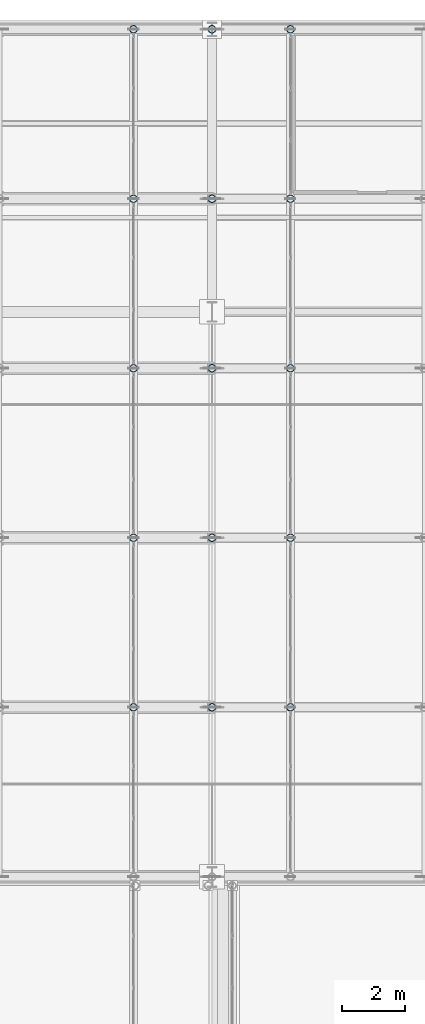
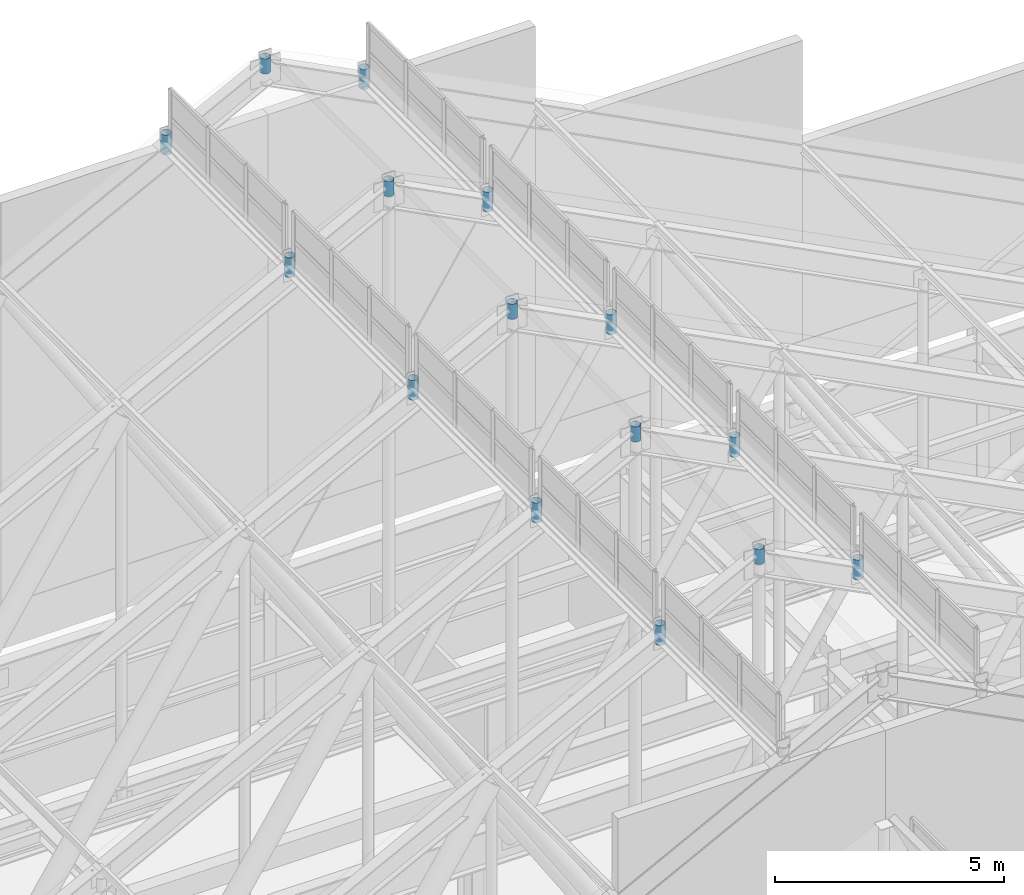
# One storey, part 67 of 84: 15 members.
"""IFC4 building model written with IfcOpenShell, lengths in metres."""

from ifc_helpers import new_model, si_unit, direction, frame, origin, origin_2d, place, context, subcontext, project, spatial, hollow_circle, extrude, material, material_profile, profile_set, type_object, element, save


model = new_model("IFC4")

# Units and contexts
model_context = context("Model", 3, precision=1e-05, world=origin(), true_north=direction((0.0, 1.0)))
body_context = subcontext(model_context, "Body", "Model", "MODEL_VIEW")
ifc_project = project(units=[si_unit("LENGTHUNIT", "METRE"), si_unit("AREAUNIT", "SQUARE_METRE"), si_unit("VOLUMEUNIT", "CUBIC_METRE"), si_unit("PLANEANGLEUNIT", "RADIAN"), si_unit("MASSUNIT", "GRAM", prefix="KILO")], contexts=[model_context])

# Site, building, storey
site_placement = place(None, origin())
site = spatial("IfcSite", under=ifc_project, at=site_placement, CompositionType="ELEMENT")
building_placement = place(site_placement, origin())
building = spatial("IfcBuilding", under=site, at=building_placement, Name="Sundgate Opera House", CompositionType="ELEMENT")
storey_placement = place(building_placement, frame((0.0, 0.0, 30.60009765625)))
storey = spatial("IfcBuildingStorey", under=building, at=storey_placement, Name="L06", CompositionType="ELEMENT", Elevation=30.60009765625)

# Members
ifc_material = material(Name="Steel S355J2", Category="steel")
ifc_material_profile = material_profile(ifc_material, hollow_circle(Radius=0.122314453125, WallThickness=0.012451171875, at=origin_2d()), Name="CHS 244.5x12.5")
ifc_profile_set = profile_set([ifc_material_profile], Name="Steel S355J2")
member_type = type_object("IfcMemberType", Name="MB-STRUT-CHS244", PredefinedType="STRUT", material=ifc_profile_set)
member_1_placement = place(storey_placement, frame((51.5, 65.39990234375, 15.911865234375), z_axis=(0.0, 0.0, 1.0), x_axis=(1.0, 0.0, 0.0)))
element("IfcMember", 1, at=member_1_placement, inside=storey, type_object=member_type, Name="L06 Lantern Ridge Post MS035", PredefinedType="STRUT", context=body_context, shape_type="SweptSolid", body=[
    extrude(hollow_circle(Radius=0.122314453125, WallThickness=0.012451171875, at=origin_2d()), origin(), (0.0, 0.0, 1.0), 0.528076171875),
])
member_2_placement = place(storey_placement, frame((54.0, 65.39990234375, 17.199951171875), z_axis=(0.0, 0.0, 1.0), x_axis=(1.0, 0.0, 0.0)))
element("IfcMember", 2, at=member_2_placement, inside=storey, type_object=member_type, Name="L06 Lantern Ridge Post MS036", PredefinedType="STRUT", context=body_context, shape_type="SweptSolid", body=[
    extrude(hollow_circle(Radius=0.122314453125, WallThickness=0.012451171875, at=origin_2d()), origin(), (0.0, 0.0, 1.0), 0.39990234375),
])
for number, where, z_axis, x_axis, name in (
    (3, (56.5, 65.39990234375, 15.911865234375), (0.0, 0.0, 1.0), (1.0, 0.0, 0.0), "L06 Lantern Ridge Post MS037"),
    (4, (51.5, 70.800048828125, 15.911865234375), (0.0, 0.0, 1.0), (1.0, 0.0, 0.0), "L06 Lantern Ridge Post MS038"),
):
    element("IfcMember", number, at=place(storey_placement, frame(where, z_axis=z_axis, x_axis=x_axis)), inside=storey, type_object=member_type, Name=name, PredefinedType="STRUT", context=body_context, shape_type="SweptSolid", body=[
        extrude(hollow_circle(Radius=0.122314453125, WallThickness=0.012451171875, at=origin_2d()), origin(), (0.0, 0.0, 1.0), 0.528076171875),
    ])
member_3_placement = place(storey_placement, frame((54.0, 70.800048828125, 17.199951171875), z_axis=(0.0, 0.0, 1.0), x_axis=(1.0, 0.0, 0.0)))
element("IfcMember", 5, at=member_3_placement, inside=storey, type_object=member_type, Name="L06 Lantern Ridge Post MS039", PredefinedType="STRUT", context=body_context, shape_type="SweptSolid", body=[
    extrude(hollow_circle(Radius=0.122314453125, WallThickness=0.012451171875, at=origin_2d()), origin(), (0.0, 0.0, 1.0), 0.39990234375),
])
for number, where, z_axis, x_axis, name in (
    (6, (56.5, 70.800048828125, 15.911865234375), (0.0, 0.0, 1.0), (1.0, 0.0, 0.0), "L06 Lantern Ridge Post MS040"),
    (7, (51.5, 76.199951171875, 15.911865234375), (0.0, 0.0, 1.0), (1.0, 0.0, 0.0), "L06 Lantern Ridge Post MS041"),
):
    element("IfcMember", number, at=place(storey_placement, frame(where, z_axis=z_axis, x_axis=x_axis)), inside=storey, type_object=member_type, Name=name, PredefinedType="STRUT", context=body_context, shape_type="SweptSolid", body=[
        extrude(hollow_circle(Radius=0.122314453125, WallThickness=0.012451171875, at=origin_2d()), origin(), (0.0, 0.0, 1.0), 0.528076171875),
    ])
member_4_placement = place(storey_placement, frame((54.0, 76.199951171875, 17.199951171875), z_axis=(0.0, 0.0, 1.0), x_axis=(1.0, 0.0, 0.0)))
element("IfcMember", 8, at=member_4_placement, inside=storey, type_object=member_type, Name="L06 Lantern Ridge Post MS042", PredefinedType="STRUT", context=body_context, shape_type="SweptSolid", body=[
    extrude(hollow_circle(Radius=0.122314453125, WallThickness=0.012451171875, at=origin_2d()), origin(), (0.0, 0.0, 1.0), 0.39990234375),
])
for number, where, z_axis, x_axis, name in (
    (9, (56.5, 76.199951171875, 15.911865234375), (0.0, 0.0, 1.0), (1.0, 0.0, 0.0), "L06 Lantern Ridge Post MS043"),
    (10, (51.5, 81.60009765625, 15.911865234375), (0.0, 0.0, 1.0), (1.0, 0.0, 0.0), "L06 Lantern Ridge Post MS044"),
):
    element("IfcMember", number, at=place(storey_placement, frame(where, z_axis=z_axis, x_axis=x_axis)), inside=storey, type_object=member_type, Name=name, PredefinedType="STRUT", context=body_context, shape_type="SweptSolid", body=[
        extrude(hollow_circle(Radius=0.122314453125, WallThickness=0.012451171875, at=origin_2d()), origin(), (0.0, 0.0, 1.0), 0.528076171875),
    ])
member_5_placement = place(storey_placement, frame((54.0, 81.60009765625, 17.199951171875), z_axis=(0.0, 0.0, 1.0), x_axis=(1.0, 0.0, 0.0)))
element("IfcMember", 11, at=member_5_placement, inside=storey, type_object=member_type, Name="L06 Lantern Ridge Post MS045", PredefinedType="STRUT", context=body_context, shape_type="SweptSolid", body=[
    extrude(hollow_circle(Radius=0.122314453125, WallThickness=0.012451171875, at=origin_2d()), origin(), (0.0, 0.0, 1.0), 0.39990234375),
])
for number, where, z_axis, x_axis, name in (
    (12, (56.5, 81.60009765625, 15.911865234375), (0.0, 0.0, 1.0), (1.0, 0.0, 0.0), "L06 Lantern Ridge Post MS046"),
    (13, (51.5, 87.0, 15.911865234375), (0.0, 0.0, 1.0), (1.0, 0.0, 0.0), "L06 Lantern Ridge Post MS047"),
):
    element("IfcMember", number, at=place(storey_placement, frame(where, z_axis=z_axis, x_axis=x_axis)), inside=storey, type_object=member_type, Name=name, PredefinedType="STRUT", context=body_context, shape_type="SweptSolid", body=[
        extrude(hollow_circle(Radius=0.122314453125, WallThickness=0.012451171875, at=origin_2d()), origin(), (0.0, 0.0, 1.0), 0.528076171875),
    ])
member_6_placement = place(storey_placement, frame((54.0, 87.0, 17.199951171875), z_axis=(0.0, 0.0, 1.0), x_axis=(1.0, 0.0, 0.0)))
element("IfcMember", 14, at=member_6_placement, inside=storey, type_object=member_type, Name="L06 Lantern Ridge Post MS048", PredefinedType="STRUT", context=body_context, shape_type="SweptSolid", body=[
    extrude(hollow_circle(Radius=0.122314453125, WallThickness=0.012451171875, at=origin_2d()), origin(), (0.0, 0.0, 1.0), 0.39990234375),
])
member_7_placement = place(storey_placement, frame((56.5, 87.0, 15.911865234375), z_axis=(0.0, 0.0, 1.0), x_axis=(1.0, 0.0, 0.0)))
element("IfcMember", 15, at=member_7_placement, inside=storey, type_object=member_type, Name="L06 Lantern Ridge Post MS049", PredefinedType="STRUT", context=body_context, shape_type="SweptSolid", body=[
    extrude(hollow_circle(Radius=0.122314453125, WallThickness=0.012451171875, at=origin_2d()), origin(), (0.0, 0.0, 1.0), 0.528076171875),
])

save(model, "model.ifc")
